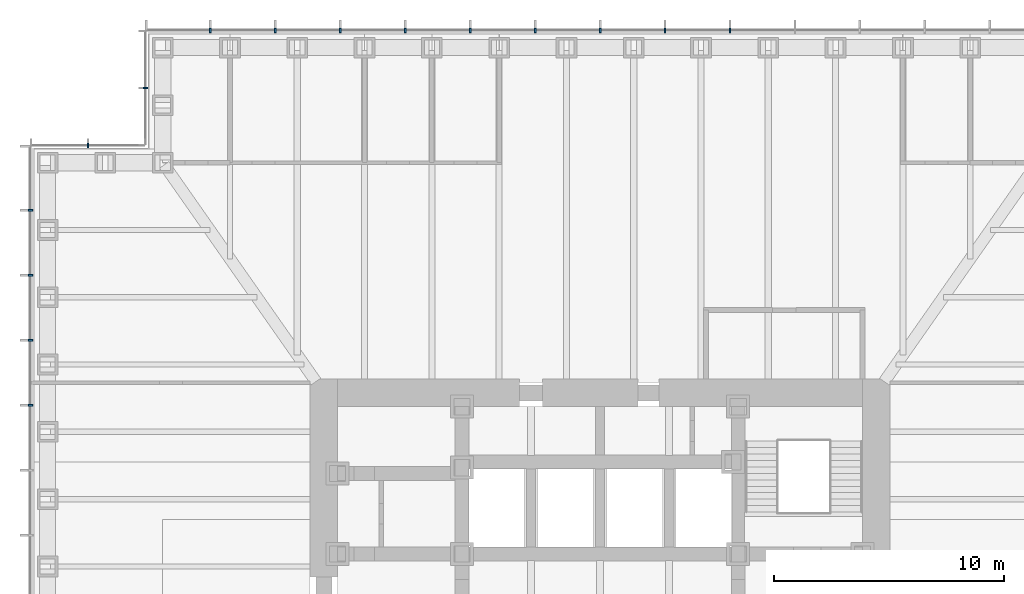
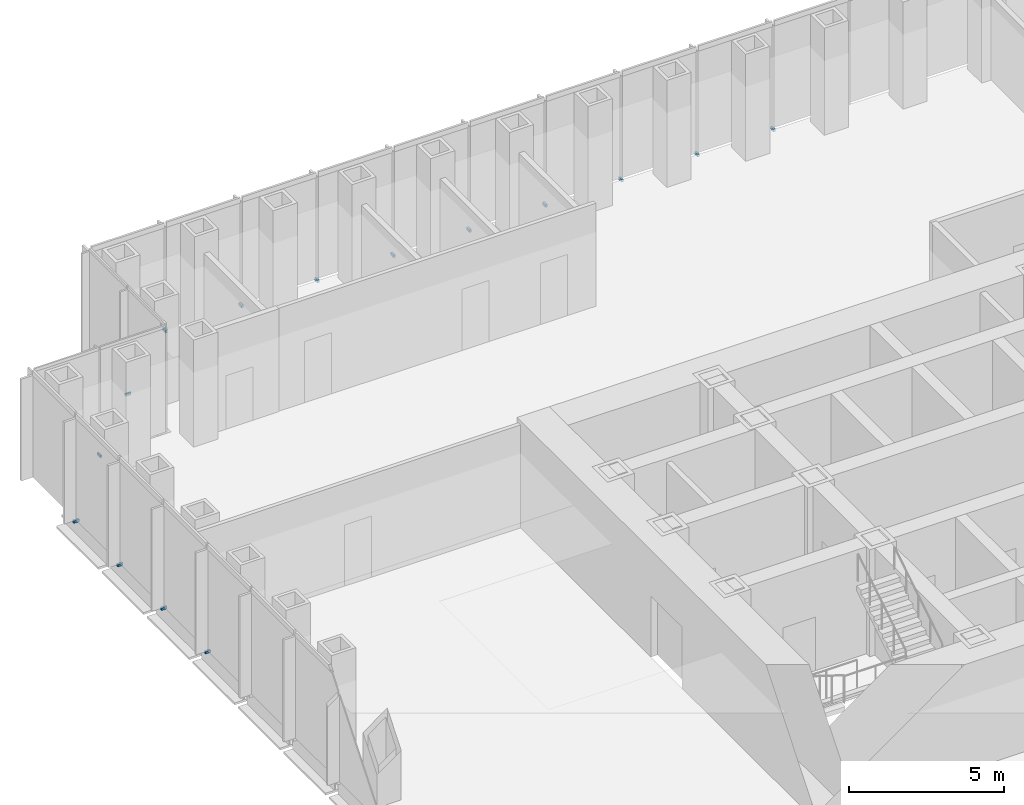
# One storey, part 15 of 17: 15 discrete accessories.
"""IFC4 building model written with IfcOpenShell, lengths in metres."""

from ifc_helpers import new_model, si_unit, direction, frame, origin, origin_2d, place, context, subcontext, project, spatial, rectangle, extrude, element, save


model = new_model("IFC4")

# Units and contexts
model_context = context("Model", 3, precision=1e-05, world=origin(), true_north=direction((0.0, 1.0)))
body_context = subcontext(model_context, "Body", "Model", "MODEL_VIEW")
ifc_project = project(units=[si_unit("LENGTHUNIT", "METRE"), si_unit("AREAUNIT", "SQUARE_METRE"), si_unit("VOLUMEUNIT", "CUBIC_METRE"), si_unit("PLANEANGLEUNIT", "RADIAN"), si_unit("MASSUNIT", "GRAM", prefix="KILO")], contexts=[model_context])

# Site, building, storey
site_placement = place(None, origin())
site = spatial("IfcSite", under=ifc_project, at=site_placement, CompositionType="ELEMENT")
building_placement = place(site_placement, origin())
building = spatial("IfcBuilding", under=site, at=building_placement, Name="Daluyong Arena Tower", CompositionType="ELEMENT")
storey_placement = place(building_placement, frame((0.0, 0.0, 60.10009765625)))
storey = spatial("IfcBuildingStorey", under=building, at=storey_placement, Name="L12", CompositionType="ELEMENT", Elevation=60.10009765625)

# Discrete accessories
for number, where, z_axis, x_axis, name in (
    (1, (61.642822265625, 104.75, -0.10009765625), (0.0, 0.0, 1.0), (-1.0, 0.0, 0.0), "curtain wall L12 N anchor bracket 6"),
    (2, (58.821533203125, 104.75, -0.10009765625), (0.0, 0.0, 1.0), (-1.0, 0.0, 0.0), "curtain wall L12 N anchor bracket 7"),
    (3, (56.0, 104.75, -0.10009765625), (0.0, 0.0, 1.0), (-1.0, 0.0, 0.0), "curtain wall L12 N anchor bracket 8"),
    (4, (53.178466796875, 104.75, -0.10009765625), (0.0, 0.0, 1.0), (-1.0, 0.0, 0.0), "curtain wall L12 N anchor bracket 9"),
    (5, (50.357177734375, 104.75, -0.10009765625), (0.0, 0.0, 1.0), (-1.0, 0.0, 0.0), "curtain wall L12 N anchor bracket 10"),
    (6, (47.53564453125, 104.75, -0.10009765625), (0.0, 0.0, 1.0), (-1.0, 0.0, 0.0), "curtain wall L12 N anchor bracket 11"),
    (7, (44.71435546875, 104.75, -0.10009765625), (0.0, 0.0, 1.0), (-1.0, 0.0, 0.0), "curtain wall L12 N anchor bracket 12"),
    (8, (41.892822265625, 104.75, -0.10009765625), (0.0, 0.0, 1.0), (-1.0, 0.0, 0.0), "curtain wall L12 N anchor bracket 13"),
    (9, (39.071533203125, 104.75, -0.10009765625), (0.0, 0.0, 1.0), (-1.0, 0.0, 0.0), "curtain wall L12 N anchor bracket 14"),
):
    element("IfcDiscreteAccessory", number, at=place(storey_placement, frame(where, z_axis=z_axis, x_axis=x_axis)), inside=storey, Name=name, PredefinedType="BRACKET", context=body_context, shape_type="SweptSolid", body=[
        extrude(rectangle(XDim=0.080078125, YDim=0.199951171875, at=origin_2d()), origin(), (0.0, 0.0, 1.0), 0.10009765625),
    ])
for number, where, z_axis, x_axis, name in (
    (10, (36.25, 102.25, -0.10009765625), (0.0, 0.0, 1.0), (0.0, -1.0, 0.0), "curtain wall L12 NW-W anchor bracket 2"),
    (11, (33.75, 99.75, -0.10009765625), (0.0, 0.0, 1.0), (-1.0, 0.0, 0.0), "curtain wall L12 NW-N anchor bracket 2"),
):
    element("IfcDiscreteAccessory", number, at=place(storey_placement, frame(where, z_axis=z_axis, x_axis=x_axis)), inside=storey, Name=name, PredefinedType="BRACKET", context=body_context, shape_type="SweptSolid", body=[
        extrude(rectangle(XDim=0.06005859375, YDim=0.199951171875, at=origin_2d()), origin(), (0.0, 0.0, 1.0), 0.10009765625),
    ])
for number, where, z_axis, x_axis, name in (
    (12, (31.25, 96.928466796875, -0.10009765625), (0.0, 0.0, 1.0), (0.0, -1.0, 0.0), "curtain wall L12 W anchor bracket 2"),
    (13, (31.25, 94.107177734375, -0.10009765625), (0.0, 0.0, 1.0), (0.0, -1.0, 0.0), "curtain wall L12 W anchor bracket 3"),
    (14, (31.25, 91.28564453125, -0.10009765625), (0.0, 0.0, 1.0), (0.0, -1.0, 0.0), "curtain wall L12 W anchor bracket 4"),
    (15, (31.25, 88.46435546875, -0.10009765625), (0.0, 0.0, 1.0), (0.0, -1.0, 0.0), "curtain wall L12 W anchor bracket 5"),
):
    element("IfcDiscreteAccessory", number, at=place(storey_placement, frame(where, z_axis=z_axis, x_axis=x_axis)), inside=storey, Name=name, PredefinedType="BRACKET", context=body_context, shape_type="SweptSolid", body=[
        extrude(rectangle(XDim=0.080078125, YDim=0.199951171875, at=origin_2d()), origin(), (0.0, 0.0, 1.0), 0.10009765625),
    ])

save(model, "model.ifc")
